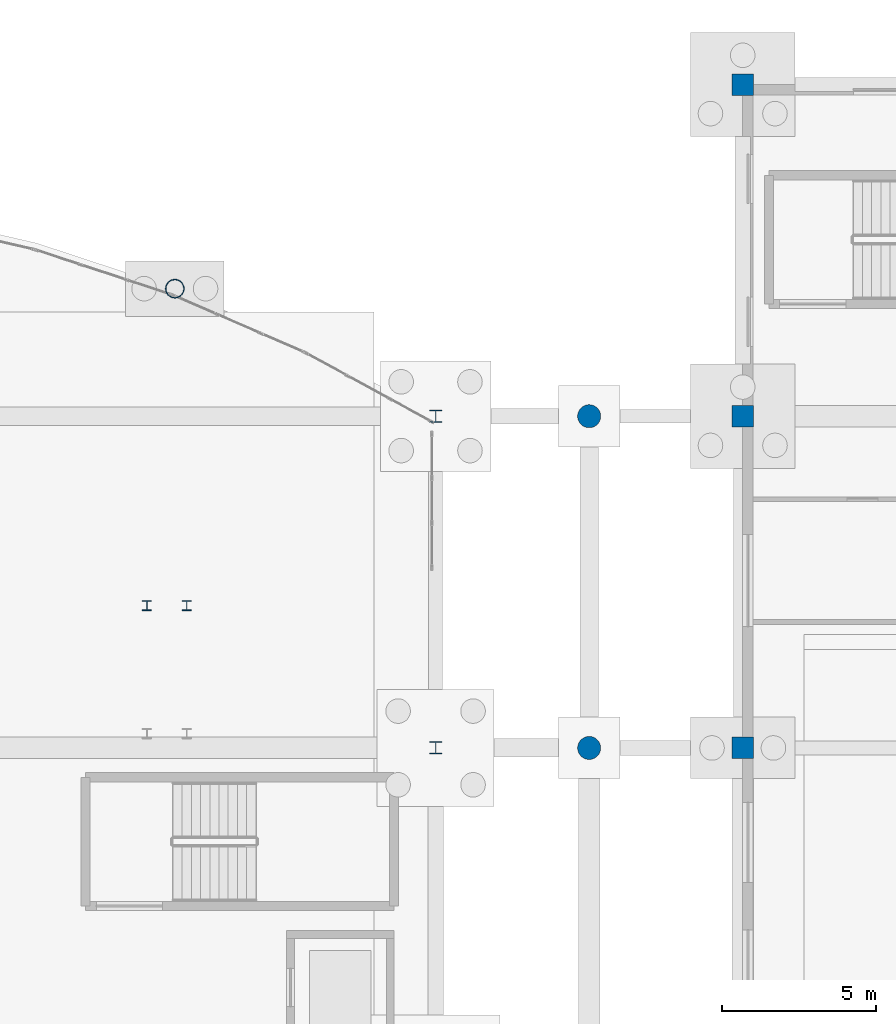
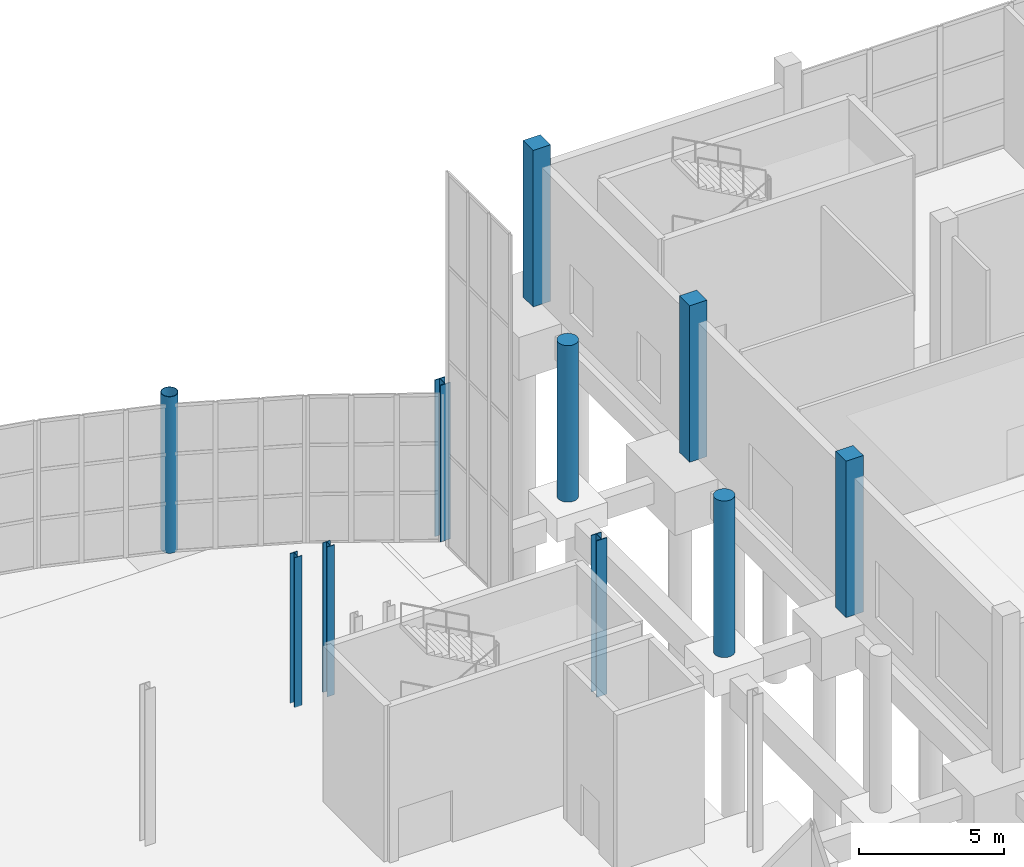
# One storey, part 24 of 115: 10 columns.
"""IFC4 building model written with IfcOpenShell, lengths in metres."""

from ifc_helpers import new_model, si_unit, direction, frame, origin, origin_2d, place, context, subcontext, project, spatial, rectangle, circle, hollow_circle, i_section, extrude, material, material_profile, profile_set, type_object, element, save


model = new_model("IFC4")

# Units and contexts
model_context = context("Model", 3, precision=1e-05, world=origin(), true_north=direction((0.0, 1.0)))
body_context = subcontext(model_context, "Body", "Model", "MODEL_VIEW")
ifc_project = project(units=[si_unit("LENGTHUNIT", "METRE"), si_unit("AREAUNIT", "SQUARE_METRE"), si_unit("VOLUMEUNIT", "CUBIC_METRE"), si_unit("PLANEANGLEUNIT", "RADIAN"), si_unit("MASSUNIT", "GRAM", prefix="KILO")], contexts=[model_context])

# Site, building, storey
site_placement = place(None, origin())
site = spatial("IfcSite", under=ifc_project, at=site_placement, CompositionType="ELEMENT")
building_placement = place(site_placement, origin())
building = spatial("IfcBuilding", under=site, at=building_placement, Name="Tamarisk Ironworks Central Station", CompositionType="ELEMENT")
storey_placement = place(building_placement, origin())
storey = spatial("IfcBuildingStorey", under=building, at=storey_placement, Name="L00", CompositionType="ELEMENT", Elevation=0.0)

# Columns
ifc_material_1 = material(Name="Concrete C50/60", Category="concrete")
ifc_material_profile_1 = material_profile(ifc_material_1, rectangle(XDim=0.699951171875, YDim=0.699951171875, at=origin_2d()), Name="RC 700x700")
ifc_profile_set_1 = profile_set([ifc_material_profile_1], Name="Concrete C50/60")
column_type_1 = type_object("IfcColumnType", Name="COL-RC02", PredefinedType="COLUMN", material=ifc_profile_set_1)
for number, where, z_axis, x_axis, name in (
    (1, (118.0, 100.800048828125, 0.0), (0.0, 0.0, 1.0), (1.0, 0.0, 0.0), "L00 column V5-15J"),
    (2, (118.0, 111.60009765625, 0.0), (0.0, 0.0, 1.0), (1.0, 0.0, 0.0), "L00 column V5-15L"),
    (3, (118.0, 122.39990234375, 0.0), (0.0, 0.0, 1.0), (1.0, 0.0, 0.0), "L00 column V5-15N"),
):
    element("IfcColumn", number, at=place(storey_placement, frame(where, z_axis=z_axis, x_axis=x_axis)), inside=storey, type_object=column_type_1, Name=name, PredefinedType="COLUMN", context=body_context, shape_type="SweptSolid", body=[
        extrude(rectangle(XDim=0.699951171875, YDim=0.699951171875, at=origin_2d()), origin(), (0.0, 0.0, 1.0), 6.60009765625),
    ])
ifc_material_profile_2 = material_profile(ifc_material_1, circle(Radius=0.375, at=origin_2d()), Name="RC D750")
ifc_profile_set_2 = profile_set([ifc_material_profile_2], Name="Concrete C50/60")
column_type_2 = type_object("IfcColumnType", Name="COL-RC05", PredefinedType="COLUMN", material=ifc_profile_set_2)
for number, where, z_axis, x_axis, name in (
    (4, (113.0, 100.800048828125, 0.0), (0.0, 0.0, 1.0), (1.0, 0.0, 0.0), "L00 column CN-E2"),
    (5, (113.0, 111.60009765625, 0.0), (0.0, 0.0, 1.0), (1.0, 0.0, 0.0), "L00 column CN-E3"),
):
    element("IfcColumn", number, at=place(storey_placement, frame(where, z_axis=z_axis, x_axis=x_axis)), inside=storey, type_object=column_type_2, Name=name, PredefinedType="COLUMN", context=body_context, shape_type="SweptSolid", body=[
        extrude(circle(Radius=0.375, at=origin_2d()), origin(), (0.0, 0.0, 1.0), 6.60009765625),
    ])
ifc_material_2 = material(Name="Structural steel S355J2", Category="steel")
ifc_material_profile_3 = material_profile(ifc_material_2, i_section(OverallWidth=0.404052734375, OverallDepth=0.406982421875, WebThickness=0.020751953125, FlangeThickness=0.031982421875, at=origin_2d()), Name="HD 400x347")
ifc_profile_set_3 = profile_set([ifc_material_profile_3], Name="Structural steel S355J2")
column_type_3 = type_object("IfcColumnType", Name="COL-S03", PredefinedType="COLUMN", material=ifc_profile_set_3)
for number, where, z_axis, x_axis, name in (
    (6, (108.0, 100.800048828125, 0.0), (0.0, 0.0, 1.0), (1.0, 0.0, 0.0), "L00 column V2-14J"),
    (7, (108.0, 111.60009765625, 0.0), (0.0, 0.0, 1.0), (1.0, 0.0, 0.0), "L00 column V2-14L"),
):
    element("IfcColumn", number, at=place(storey_placement, frame(where, z_axis=z_axis, x_axis=x_axis)), inside=storey, type_object=column_type_3, Name=name, PredefinedType="COLUMN", context=body_context, shape_type="SweptSolid", body=[
        extrude(i_section(OverallWidth=0.404052734375, OverallDepth=0.406982421875, WebThickness=0.020751953125, FlangeThickness=0.031982421875, at=origin_2d()), origin(), (0.0, 0.0, 1.0), 6.60009765625),
    ])
ifc_material_profile_4 = material_profile(ifc_material_2, i_section(OverallWidth=0.300048828125, OverallDepth=0.320068359375, WebThickness=0.011474609375, FlangeThickness=0.0205078125, at=origin_2d()), Name="HEB 320")
ifc_profile_set_4 = profile_set([ifc_material_profile_4], Name="Structural steel S355J2")
column_type_4 = type_object("IfcColumnType", Name="COL-S11", PredefinedType="COLUMN", material=ifc_profile_set_4)
for number, where, z_axis, x_axis, name in (
    (8, (98.60009765625, 105.43505859375, 0.0), (0.0, 0.0, 1.0), (1.0, 0.0, 0.0), "ST-MZ2 ground transfer post Z1-3"),
    (9, (99.89990234375, 105.43505859375, 0.0), (0.0, 0.0, 1.0), (1.0, 0.0, 0.0), "ST-MZ2 ground transfer post Z1-4"),
):
    element("IfcColumn", number, at=place(storey_placement, frame(where, z_axis=z_axis, x_axis=x_axis)), inside=storey, type_object=column_type_4, Name=name, PredefinedType="COLUMN", context=body_context, shape_type="SweptSolid", body=[
        extrude(i_section(OverallWidth=0.300048828125, OverallDepth=0.320068359375, WebThickness=0.011474609375, FlangeThickness=0.0205078125, at=origin_2d()), origin(), (0.0, 0.0, 1.0), 6.320068359375),
    ])
ifc_material_3 = material(Name="Painted structural steel S355J2", Category="steel")
ifc_material_profile_5 = material_profile(ifc_material_3, hollow_circle(Radius=0.304931640625, WallThickness=0.02001953125, at=origin_2d()), Name="CHS 610x20")
ifc_profile_set_5 = profile_set([ifc_material_profile_5], Name="Painted structural steel S355J2")
column_type_5 = type_object("IfcColumnType", Name="COL-S15", PredefinedType="COLUMN", material=ifc_profile_set_5)
column_placement = place(storey_placement, frame((99.51123046875, 115.752685546875, 0.0), z_axis=(0.0, 0.0, 1.0), x_axis=(1.0, 0.0, 0.0)))
element("IfcColumn", 10, at=column_placement, inside=storey, type_object=column_type_5, Name="L00 column V2-NN10", PredefinedType="COLUMN", context=body_context, shape_type="SweptSolid", body=[
    extrude(hollow_circle(Radius=0.304931640625, WallThickness=0.02001953125, at=origin_2d()), origin(), (0.0, 0.0, 1.0), 6.60009765625),
])

save(model, "model.ifc")
